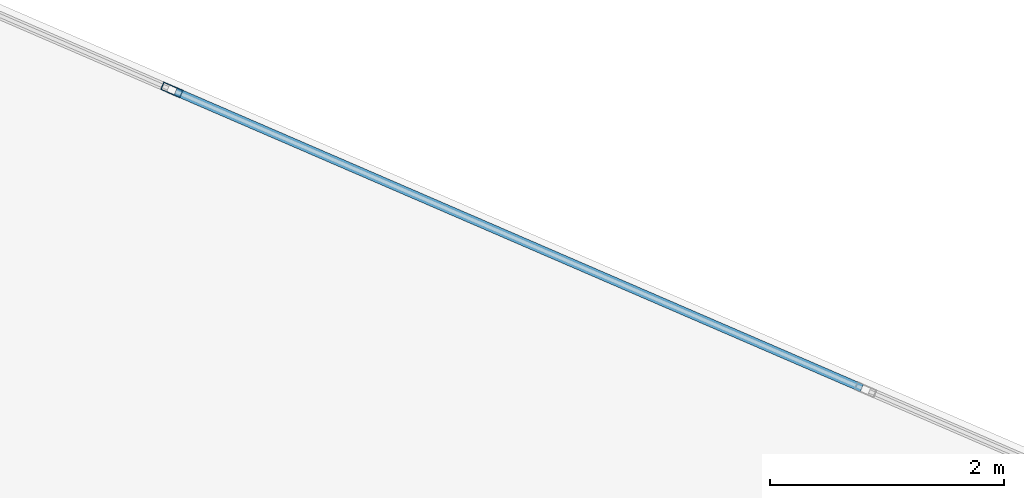
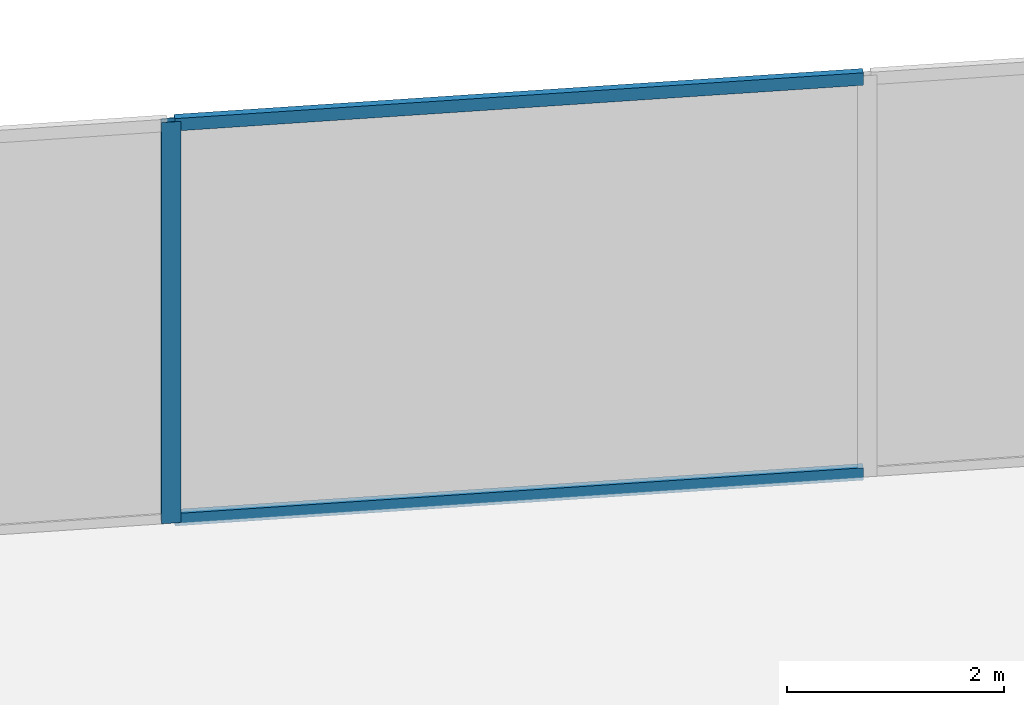
# One storey, part 17 of 24: 3 members, 1 element without a shape of its own.
"""IFC4 building model written with IfcOpenShell, lengths in metres."""

from ifc_helpers import new_model, si_unit, direction, frame, origin, origin_2d, place, context, subcontext, project, spatial, hollow_rectangle, extrude, source, transform, mapped, material, material_profile, profile_set, type_object, type_shapes, element, aggregate, save


model = new_model("IFC4")

# Units and contexts
model_context = context("Model", 3, precision=1e-05, world=origin(), true_north=direction((0.0, 1.0)))
body_context = subcontext(model_context, "Body", "Model", "MODEL_VIEW")
ifc_project = project(units=[si_unit("LENGTHUNIT", "METRE"), si_unit("AREAUNIT", "SQUARE_METRE"), si_unit("VOLUMEUNIT", "CUBIC_METRE"), si_unit("PLANEANGLEUNIT", "RADIAN"), si_unit("MASSUNIT", "GRAM", prefix="KILO")], contexts=[model_context])

# Site, building, storey
site_placement = place(None, origin())
site = spatial("IfcSite", under=ifc_project, at=site_placement, CompositionType="ELEMENT")
building_placement = place(site_placement, origin())
building = spatial("IfcBuilding", under=site, at=building_placement, Name="Krantzveldt Concourse Tower", CompositionType="ELEMENT")
storey_placement = place(building_placement, frame((0.0, 0.0, 141.39990234375)))
storey = spatial("IfcBuildingStorey", under=building, at=storey_placement, Name="L34", CompositionType="ELEMENT", Elevation=141.39990234375)

# Curtain wall, members
ifc_material = material(Name="Anodised aluminium 6063-T6", Category="aluminium")
curtain_wall_type = type_object("IfcCurtainWallType", Name="CW5", PredefinedType="USERDEFINED", material=ifc_material)
curtain_wall_placement = place(storey_placement, origin())
curtain_wall = element("IfcCurtainWall", 1, at=curtain_wall_placement, inside=storey, type_object=curtain_wall_type, Name="CW-L34-F10", ObjectType="UNITISED CURTAIN WALL", PredefinedType="USERDEFINED")
ifc_material_profile_1 = material_profile(ifc_material, hollow_rectangle(XDim=0.070068359375, YDim=0.139892578125, WallThickness=0.0048828125, at=origin_2d()), Name="Anodised aluminium 6063-T6", Category="aluminium")
ifc_profile_set_1 = profile_set([ifc_material_profile_1], Name="Anodised aluminium 6063-T6 - ALU-TRAN 140x70x5")
member_type_1 = type_object("IfcMemberType", Name="CW-TRN-150", PredefinedType="USERDEFINED", material=ifc_profile_set_1)
shared_shape_1 = source(origin(), body_context, "Body", "SweptSolid", [
    extrude(hollow_rectangle(XDim=0.070068359375, YDim=0.139892578125, WallThickness=0.0048828125, at=origin_2d()), origin(), (0.0, 0.0, 1.0), 6.396484375),
])
type_shapes(member_type_1, [shared_shape_1])
member_1_placement = place(storey_placement, frame((57.087890625, 42.9794921875, 0.03515625), z_axis=(-0.91792654531, 0.396750371663, 0.0), x_axis=(-0.396750371663, -0.91792654531, 0.0)))
member_1 = element("IfcMember", 2, at=member_1_placement, type_object=member_type_1, Name="CW-SKY transom 2.1", ObjectType="TRANSOM", PredefinedType="USERDEFINED", context=body_context, shape_type="MappedRepresentation", body=[
    mapped(shared_shape_1, transform((0.0, 0.0, 0.0), x_axis=(1.0, 0.0, 0.0), y_axis=(0.0, 1.0, 0.0), z_axis=(0.0, 0.0, 1.0), scale=1.0)),
])
member_2_placement = place(storey_placement, frame((57.087890625, 42.9794921875, 4.485107421875), z_axis=(-0.91792654531, 0.396750371663, 0.0), x_axis=(-0.396750371663, -0.91792654531, 0.0)))
member_2 = element("IfcMember", 3, at=member_2_placement, type_object=member_type_1, Name="CW-SKY transom 2.2", ObjectType="TRANSOM", PredefinedType="USERDEFINED", context=body_context, shape_type="MappedRepresentation", body=[
    mapped(shared_shape_1, transform((0.0, 0.0, 0.0), x_axis=(1.0, 0.0, 0.0), y_axis=(0.0, 1.0, 0.0), z_axis=(0.0, 0.0, 1.0), scale=1.0)),
])
ifc_material_profile_2 = material_profile(ifc_material, hollow_rectangle(XDim=0.070068359375, YDim=0.179931640625, WallThickness=0.0048828125, at=origin_2d()), Name="Anodised aluminium 6063-T6", Category="aluminium")
ifc_profile_set_2 = profile_set([ifc_material_profile_2], Name="Anodised aluminium 6063-T6 - ALU-MULL 180x70x5")
member_type_2 = type_object("IfcMemberType", Name="CW-MUL-180", PredefinedType="MULLION", material=ifc_profile_set_2)
shared_shape_2 = source(origin(), body_context, "Body", "SweptSolid", [
    extrude(hollow_rectangle(XDim=0.070068359375, YDim=0.179931640625, WallThickness=0.0048828125, at=origin_2d()), origin(), (0.0, 0.0, 1.0), 4.52001953125),
])
type_shapes(member_type_2, [shared_shape_2])
member_3_placement = place(storey_placement, frame((51.18408203125, 45.53125, 0.0), z_axis=(0.0, 0.0, 1.0), x_axis=(-0.396747417177, -0.917927822306, 0.0)))
member_3 = element("IfcMember", 4, at=member_3_placement, type_object=member_type_2, Name="CW-SKY mullion 3", PredefinedType="MULLION", context=body_context, shape_type="MappedRepresentation", body=[
    mapped(shared_shape_2, transform((0.0, 0.0, 0.0), x_axis=(1.0, 0.0, 0.0), y_axis=(0.0, 1.0, 0.0), z_axis=(0.0, 0.0, 1.0), scale=1.0)),
])
aggregate(curtain_wall, [member_3, member_1, member_2])

save(model, "model.ifc")
